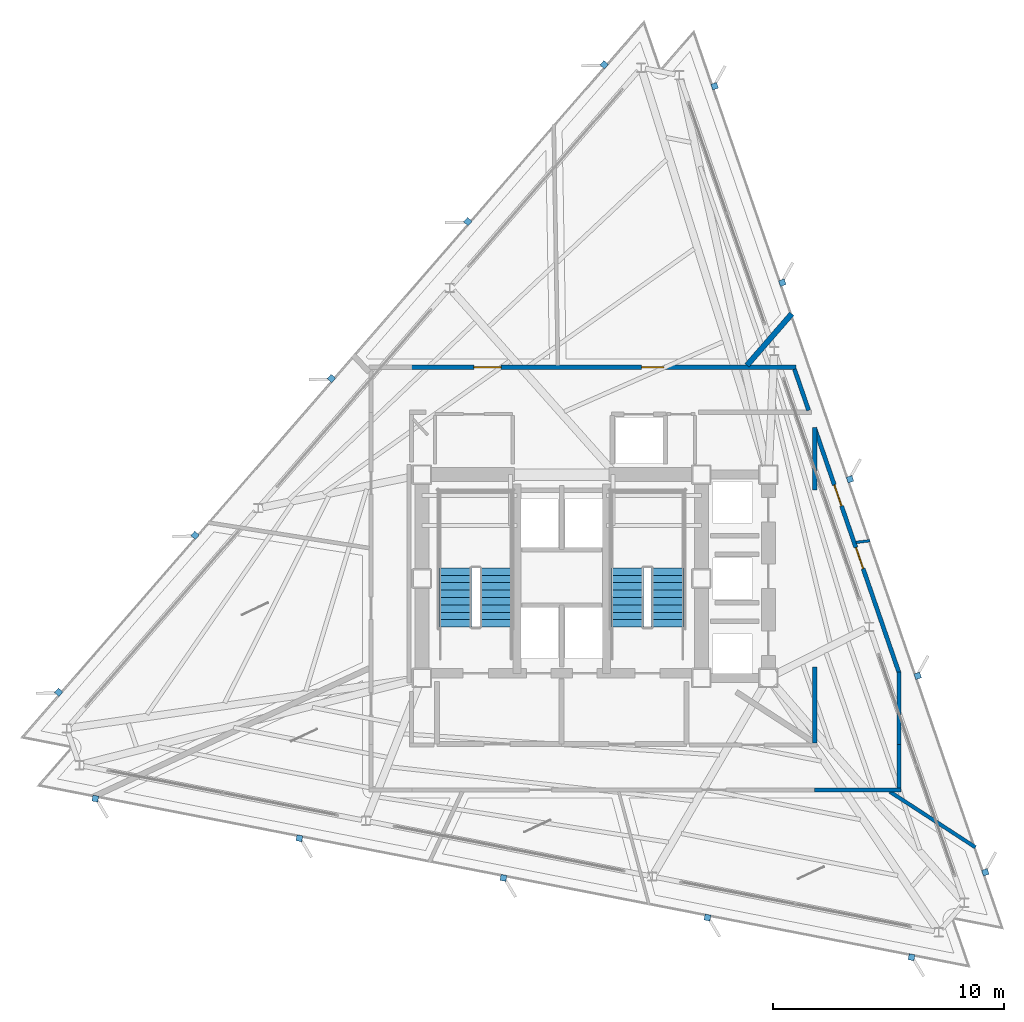
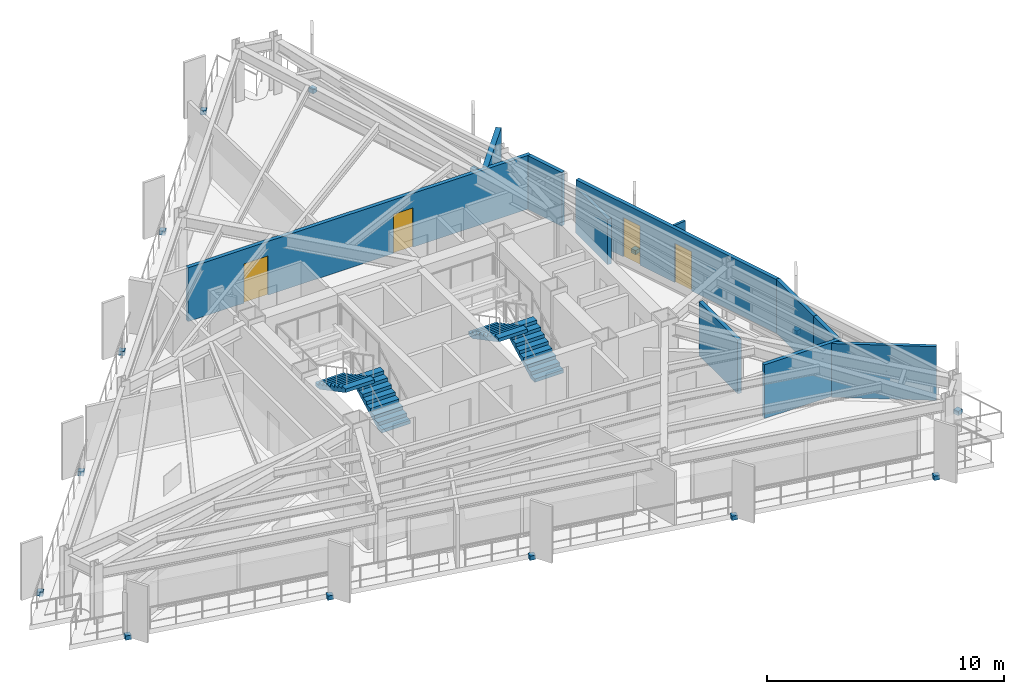
# One storey, part 10 of 13: 15 discrete accessories, 11 walls, 4 doors, 4 stair flights, 4 openings, 2 elements without a shape of their own.
"""IFC4 building model written with IfcOpenShell, lengths in metres."""

from ifc_helpers import new_model, si_unit, direction, frame, frame_2d, origin, origin_2d, place, context, subcontext, project, spatial, polyline, rectangle, outline, extrude, material, layer, layer_set, type_object, element, fill, aggregate, save


model = new_model("IFC4")

# Units and contexts
model_context = context("Model", 3, precision=1e-05, world=origin(), true_north=direction((0.0, 1.0)))
body_context = subcontext(model_context, "Body", "Model", "MODEL_VIEW")
ifc_project = project(units=[si_unit("LENGTHUNIT", "METRE"), si_unit("AREAUNIT", "SQUARE_METRE"), si_unit("VOLUMEUNIT", "CUBIC_METRE"), si_unit("PLANEANGLEUNIT", "RADIAN"), si_unit("MASSUNIT", "GRAM", prefix="KILO")], contexts=[model_context])

# Site, building, storey
site_placement = place(None, origin())
site = spatial("IfcSite", under=ifc_project, at=site_placement, CompositionType="ELEMENT")
building_placement = place(site_placement, origin())
building = spatial("IfcBuilding", under=site, at=building_placement, Name="Rocaltana Carrier Exchange", CompositionType="ELEMENT")
storey_placement = place(building_placement, frame((0.0, 0.0, 156.320068359375)))
storey = spatial("IfcBuildingStorey", under=building, at=storey_placement, Name="L49", CompositionType="ELEMENT", Elevation=156.320068359375)

# Wall
ifc_material_1 = material(Name="Double Acoustic Gypsum Partition", Category="gypsum")
ifc_layer_1 = layer(ifc_material_1, 0.159912109375)
ifc_layer_set_1 = layer_set([ifc_layer_1], Name="Double Acoustic Gypsum Partition")
wall_type_1 = type_object("IfcWallType", Name="Acoustic Studio Partition 160 EI60", PredefinedType="PARTITIONING", material=ifc_layer_set_1)
wall_1_placement = place(storey_placement, frame((14.212890625, -9.22998046875, 0.0), z_axis=(0.0, 0.0, 1.0), x_axis=(0.83867205822, -0.544636740187, 0.0)))
element("IfcWall", 1, at=wall_1_placement, inside=storey, type_object=wall_type_1, Name="L49 Suite Divider Wall D5", PredefinedType="PARTITIONING", context=body_context, shape_type="SweptSolid", body=[
    extrude(rectangle(XDim=4.41796875, YDim=0.159912109375, at=frame_2d((2.208984375, 0.0))), origin(), (0.0, 0.0, 1.0), 2.762939453125),
])

# Wall, openings, doors
ifc_material_2 = material(Name="Gypsum & Steel Stud Partition", Category="steel")
ifc_layer_2 = layer(ifc_material_2, 0.179931640625)
ifc_layer_set_2 = layer_set([ifc_layer_2], Name="Gypsum & Steel Stud Partition")
wall_type_2 = type_object("IfcWallType", Name="Corridor Fire Partition 180 EI60", PredefinedType="PARTITIONING", material=ifc_layer_set_2)
wall_2_placement = place(storey_placement, frame((-6.52001953125, 9.14990234375, 0.0), z_axis=(0.0, 0.0, 1.0), x_axis=(1.0, 0.0, 0.0)))
wall_2 = element("IfcWall", 2, at=wall_2_placement, inside=storey, type_object=wall_type_2, Name="L49 Corridor Partition 6", PredefinedType="PARTITIONING", context=body_context, shape_type="SweptSolid", body=[
    extrude(rectangle(XDim=16.662353515625, YDim=0.179931640625, at=frame_2d((8.3310546875, 0.0))), origin(), (0.0, 0.0, 1.0), 2.762939453125),
])
opening_1_placement = place(wall_2_placement, frame((9.985107421875, 0.0, 0.0)))
opening_1 = element("IfcOpeningElement", 3, at=opening_1_placement, cuts=wall_2, Name="Opening D-RM098", PredefinedType="OPENING", context=body_context, shape_type="SweptSolid", body=[
    extrude(rectangle(XDim=0.9599609375, YDim=2.02001953125, at=frame_2d((0.47998046875, 1.010009765625))), frame((0.0, 0.099853515625, 0.0), z_axis=(0.0, -1.0, 0.0), x_axis=(1.0, 0.0, 0.0)), (0.0, 0.0, 1.0), 0.199951171875),
])
opening_2_placement = place(wall_2_placement, frame((2.719482421875, 0.0, 0.0)))
opening_2 = element("IfcOpeningElement", 4, at=opening_2_placement, cuts=wall_2, Name="Opening D-SU120", PredefinedType="OPENING", context=body_context, shape_type="SweptSolid", body=[
    extrude(rectangle(XDim=1.179931640625, YDim=2.02001953125, at=frame_2d((0.58984375, 1.010009765625))), frame((0.0, 0.099853515625, 0.0), z_axis=(0.0, -1.0, 0.0), x_axis=(1.0, 0.0, 0.0)), (0.0, 0.0, 1.0), 0.199951171875),
])
ifc_material_3 = material(Name="Engineered Hardwood Timber", Category="wood")
door_type_1 = type_object("IfcDoorType", Name="Suite Double Entrance Door 1180x2020", OperationType="NOTDEFINED", PredefinedType="DOOR", material=ifc_material_3)
door_1_placement = place(opening_2_placement, origin())
door_1 = element("IfcDoor", 5, at=door_1_placement, inside=storey, type_object=door_type_1, Name="L49 Carrier Peering Suite Entrance Door", OperationType="SINGLE_SWING_RIGHT", OverallHeight=2.02001953125, OverallWidth=1.179931640625, PredefinedType="DOOR", context=body_context, shape_type="SweptSolid", body=[
    extrude(rectangle(XDim=1.179931640625, YDim=2.02001953125, at=frame_2d((0.58984375, 1.010009765625))), frame((0.0, 0.02490234375, 0.0), z_axis=(0.0, -1.0, 0.0), x_axis=(1.0, 0.0, 0.0)), (0.0, 0.0, 1.0), 0.050048828125),
])
fill(opening_2, door_1)
ifc_material_4 = material(Name="Engineered Hardwood Timber", Category="wood")
door_type_2 = type_object("IfcDoorType", Name="Workspace Single Door 960x2020", OperationType="NOTDEFINED", PredefinedType="DOOR", material=ifc_material_4)
door_2_placement = place(opening_1_placement, origin())
door_2 = element("IfcDoor", 6, at=door_2_placement, inside=storey, type_object=door_type_2, Name="L49 Incident Briefing Room Entrance Door", OperationType="SINGLE_SWING_LEFT", OverallHeight=2.02001953125, OverallWidth=0.9599609375, PredefinedType="DOOR", context=body_context, shape_type="SweptSolid", body=[
    extrude(rectangle(XDim=0.9599609375, YDim=2.02001953125, at=frame_2d((0.47998046875, 1.010009765625))), frame((0.0, 0.02490234375, 0.0), z_axis=(0.0, -1.0, 0.0), x_axis=(1.0, 0.0, 0.0)), (0.0, 0.0, 1.0), 0.050048828125),
])
fill(opening_1, door_2)

# Walls
wall_3_placement = place(storey_placement, frame((10.08154296875, 9.06494140625, 0.0), z_axis=(0.0, 0.0, 1.0), x_axis=(0.325550958337, -0.945524496524, 0.0)))
element("IfcWall", 7, at=wall_3_placement, inside=storey, type_object=wall_type_2, Name="L49 Corridor Partition 7", PredefinedType="PARTITIONING", context=body_context, shape_type="SweptSolid", body=[
    extrude(rectangle(XDim=1.88232421875, YDim=0.179931640625, at=frame_2d((0.941162109375, 0.0))), origin(), (0.0, 0.0, 1.0), 2.762939453125),
])
wall_4_placement = place(storey_placement, frame((10.9599609375, -7.110107421875, 0.0), z_axis=(0.0, 0.0, 1.0), x_axis=(0.0, 1.0, 0.0)))
element("IfcWall", 8, at=wall_4_placement, inside=storey, type_object=wall_type_2, Name="L49 Corridor Partition 15", PredefinedType="PARTITIONING", context=body_context, shape_type="SweptSolid", body=[
    extrude(rectangle(XDim=3.2705078125, YDim=0.179931640625, at=frame_2d((1.63525390625, 0.0))), origin(), (0.0, 0.0, 1.0), 2.762939453125),
])
wall_5_placement = place(storey_placement, frame((10.9599609375, 3.839599609375, 0.0), z_axis=(0.0, 0.0, 1.0), x_axis=(0.0, 1.0, 0.0)))
element("IfcWall", 9, at=wall_5_placement, inside=storey, type_object=wall_type_2, Name="L49 Corridor Partition 16", PredefinedType="PARTITIONING", context=body_context, shape_type="SweptSolid", body=[
    extrude(rectangle(XDim=2.694091796875, YDim=0.179931640625, at=frame_2d((1.34716796875, 0.0))), origin(), (0.0, 0.0, 1.0), 2.329833984375),
])

# Wall, openings, doors
wall_6_placement = place(storey_placement, frame((10.95361328125, 6.53271484375, 0.0), z_axis=(0.0, 0.0, 1.0), x_axis=(0.325553439946, -0.945523642084, 0.0)))
wall_6 = element("IfcWall", 10, at=wall_6_placement, inside=storey, type_object=wall_type_2, Name="L49 Corridor Partition 17", PredefinedType="PARTITIONING", context=body_context, shape_type="SweptSolid", body=[
    extrude(rectangle(XDim=11.220458984375, YDim=0.179931640625, at=frame_2d((5.6103515625, 0.0))), origin(), (0.0, 0.0, 1.0), 2.762939453125),
])
opening_3_placement = place(wall_6_placement, frame((5.4931640625, 0.0, 0.0)))
opening_3 = element("IfcOpeningElement", 11, at=opening_3_placement, cuts=wall_6, Name="Opening D-RM098", PredefinedType="OPENING", context=body_context, shape_type="SweptSolid", body=[
    extrude(rectangle(XDim=0.9599609375, YDim=2.02001953125, at=frame_2d((0.47998046875, 1.010009765625))), frame((0.0, 0.099853515625, 0.0), z_axis=(0.0, -1.0, 0.0), x_axis=(1.0, 0.0, 0.0)), (0.0, 0.0, 1.0), 0.199951171875),
])
opening_4_placement = place(wall_6_placement, frame((2.62060546875, 0.0, 0.0)))
opening_4 = element("IfcOpeningElement", 12, at=opening_4_placement, cuts=wall_6, Name="Opening D-RM098", PredefinedType="OPENING", context=body_context, shape_type="SweptSolid", body=[
    extrude(rectangle(XDim=0.9599609375, YDim=2.02001953125, at=frame_2d((0.47998046875, 1.010009765625))), frame((0.0, 0.099853515625, 0.0), z_axis=(0.0, -1.0, 0.0), x_axis=(1.0, 0.0, 0.0)), (0.0, 0.0, 1.0), 0.199951171875),
])
door_3_placement = place(opening_3_placement, origin())
door_3 = element("IfcDoor", 13, at=door_3_placement, inside=storey, type_object=door_type_2, Name="L49 Peering Conference Room Entrance Door", OperationType="SINGLE_SWING_LEFT", OverallHeight=2.02001953125, OverallWidth=0.9599609375, PredefinedType="DOOR", context=body_context, shape_type="SweptSolid", body=[
    extrude(rectangle(XDim=0.9599609375, YDim=2.02001953125, at=frame_2d((0.47998046875, 1.010009765625))), frame((0.0, 0.02490234375, 0.0), z_axis=(0.0, -1.0, 0.0), x_axis=(1.0, 0.0, 0.0)), (0.0, 0.0, 1.0), 0.050048828125),
])
fill(opening_3, door_3)
door_4_placement = place(opening_4_placement, origin())
door_4 = element("IfcDoor", 14, at=door_4_placement, inside=storey, type_object=door_type_2, Name="L49 Quiet Focus Lounge Entrance Door", OperationType="SINGLE_SWING_RIGHT", OverallHeight=2.02001953125, OverallWidth=0.9599609375, PredefinedType="DOOR", context=body_context, shape_type="SweptSolid", body=[
    extrude(rectangle(XDim=0.9599609375, YDim=2.02001953125, at=frame_2d((0.47998046875, 1.010009765625))), frame((0.0, 0.02490234375, 0.0), z_axis=(0.0, -1.0, 0.0), x_axis=(1.0, 0.0, 0.0)), (0.0, 0.0, 1.0), 0.050048828125),
])
fill(opening_4, door_4)

# Walls
wall_7_placement = place(storey_placement, frame((14.60009765625, -4.03759765625, 0.0), z_axis=(0.0, 0.0, 1.0), x_axis=(0.0, -1.0, 0.0)))
element("IfcWall", 15, at=wall_7_placement, inside=storey, type_object=wall_type_2, Name="L49 Corridor Partition 18", PredefinedType="PARTITIONING", context=body_context, shape_type="SweptSolid", body=[
    extrude(rectangle(XDim=3.182373046875, YDim=0.179931640625, at=frame_2d((1.59130859375, 0.0))), origin(), (0.0, 0.0, 1.0), 2.762939453125),
])
wall_8_placement = place(storey_placement, frame((14.60009765625, -7.179931640625, 0.0), z_axis=(0.0, 0.0, 1.0), x_axis=(0.0, -1.0, 0.0)))
element("IfcWall", 16, at=wall_8_placement, inside=storey, type_object=wall_type_2, Name="L49 Corridor Partition 19", PredefinedType="PARTITIONING", context=body_context, shape_type="SweptSolid", body=[
    extrude(rectangle(XDim=1.880126953125, YDim=0.179931640625, at=frame_2d((0.93994140625, 0.0))), origin(), (0.0, 0.0, 1.0), 2.762939453125),
])
wall_9_placement = place(storey_placement, frame((14.68994140625, -9.14990234375, 0.0), z_axis=(0.0, 0.0, 1.0), x_axis=(-1.0, 0.0, 0.0)))
element("IfcWall", 17, at=wall_9_placement, inside=storey, type_object=wall_type_2, Name="L49 Corridor Partition 20", PredefinedType="PARTITIONING", context=body_context, shape_type="SweptSolid", body=[
    extrude(rectangle(XDim=3.75, YDim=0.179931640625, at=frame_2d((1.875, 0.0))), origin(), (0.0, 0.0, 1.0), 2.762939453125),
])
ifc_material_5 = material(Name="Aluminium 6063-T6 & Acoustic Glass", Category="aluminium")
ifc_layer_3 = layer(ifc_material_5, 0.114990234375)
ifc_layer_set_3 = layer_set([ifc_layer_3], Name="Aluminium 6063-T6 & Acoustic Glass")
wall_type_3 = type_object("IfcWallType", Name="Demountable Glazed Lab Partition 115", PredefinedType="MOVABLE", material=ifc_layer_set_3)
wall_10_placement = place(storey_placement, frame((12.74853515625, 1.565185546875, 0.0), z_axis=(0.0, 0.0, 1.0), x_axis=(0.992500437265, 0.122241081588, 0.0)))
element("IfcWall", 18, at=wall_10_placement, inside=storey, type_object=wall_type_3, Name="L49 Suite Divider Wall D6", PredefinedType="MOVABLE", context=body_context, shape_type="SweptSolid", body=[
    extrude(rectangle(XDim=0.603271484375, YDim=0.114990234375, at=frame_2d((0.3017578125, 0.0))), origin(), (0.0, 0.0, 1.0), 2.762939453125),
])
ifc_material_6 = material(Name="Acoustic Calcium Silicate Partition", Category="gypsum")
ifc_layer_4 = layer(ifc_material_6, 0.239990234375)
ifc_layer_set_4 = layer_set([ifc_layer_4], Name="Acoustic Calcium Silicate Partition")
wall_type_4 = type_object("IfcWallType", Name="Heavy Lab Partition 240 EI90", PredefinedType="PARTITIONING", material=ifc_layer_set_4)
wall_11_placement = place(storey_placement, frame((8.0234375, 9.22998046875, 0.0), z_axis=(0.0, 0.0, 1.0), x_axis=(0.656082692906, 0.754689008844, 0.0)))
element("IfcWall", 19, at=wall_11_placement, inside=storey, type_object=wall_type_4, Name="L49 Suite Divider Wall D7", PredefinedType="PARTITIONING", context=body_context, shape_type="SweptSolid", body=[
    extrude(rectangle(XDim=2.958740234375, YDim=0.239990234375, at=frame_2d((1.4794921875, 0.0))), origin(), (0.0, 0.0, 1.0), 2.762939453125),
])

# Stair, stair flights
ifc_material_7 = material(Name="Precast concrete C45/55", Category="concrete")
stair_type = type_object("IfcStairType", Name="Standard Dog-Leg Stair 160", PredefinedType="HALF_TURN_STAIR", material=ifc_material_7)
stair_1_placement = place(storey_placement, origin())
stair_1 = element("IfcStair", 20, at=stair_1_placement, inside=storey, type_object=stair_type, Name="L49 Core West Exit Stair ST-1", PredefinedType="HALF_TURN_STAIR")
ifc_material_8 = material(Name="Precast concrete C45/55", Category="concrete")
stair_flight_type = type_object("IfcStairFlightType", Name="Precast Stair Flight 160", PredefinedType="STRAIGHT", material=ifc_material_8)
stair_flight_1_placement = place(storey_placement, frame((-2.840087890625, -2.10009765625, 0.0), z_axis=(0.0, 0.0, 1.0), x_axis=(0.0, 1.0, 0.0)))
stair_flight_1 = element("IfcStairFlight", 21, at=stair_flight_1_placement, type_object=stair_flight_type, Name="ST-1 flight 1", NumberOfRisers=9, NumberOfTreads=8, PredefinedType="STRAIGHT", RiserHeight=0.168888889, TreadLength=0.32, context=body_context, shape_type="SweptSolid", body=[
    extrude(outline(polyline([(0.0, 0.0), (0.0, 0.1689453125), (0.320068359375, 0.1689453125), (0.320068359375, 0.337890625), (0.639892578125, 0.337890625), (0.639892578125, 0.506591796875), (0.9599609375, 0.506591796875), (0.9599609375, 0.675537109375), (1.280029296875, 0.675537109375), (1.280029296875, 0.844482421875), (1.60009765625, 0.844482421875), (1.60009765625, 1.013427734375), (1.919921875, 1.013427734375), (1.919921875, 1.18212890625), (2.239990234375, 1.18212890625), (2.239990234375, 1.35107421875), (2.56005859375, 1.35107421875), (2.56005859375, 1.52001953125), (2.56005859375, 1.17041015625), (0.342529296875, 0.0), (0.0, 0.0)])), frame((0.0, 0.699951171875, 0.0), z_axis=(0.0, -1.0, 0.0), x_axis=(1.0, 0.0, 0.0)), (0.0, 0.0, 1.0), 1.39990234375),
])
stair_flight_2_placement = place(storey_placement, frame((-4.60009765625, 0.4599609375, 1.52001953125), z_axis=(0.0, 0.0, 1.0), x_axis=(0.0, -1.0, 0.0)))
stair_flight_2 = element("IfcStairFlight", 22, at=stair_flight_2_placement, type_object=stair_flight_type, Name="ST-1 flight 2", NumberOfRisers=9, NumberOfTreads=8, PredefinedType="STRAIGHT", RiserHeight=0.168888889, TreadLength=0.32, context=body_context, shape_type="SweptSolid", body=[
    extrude(outline(polyline([(0.0, 0.0), (0.0, 0.1689453125), (0.320068359375, 0.1689453125), (0.320068359375, 0.337890625), (0.639892578125, 0.337890625), (0.639892578125, 0.506591796875), (0.9599609375, 0.506591796875), (0.9599609375, 0.675537109375), (1.280029296875, 0.675537109375), (1.280029296875, 0.844482421875), (1.60009765625, 0.844482421875), (1.60009765625, 1.013427734375), (1.919921875, 1.013427734375), (1.919921875, 1.18212890625), (2.239990234375, 1.18212890625), (2.239990234375, 1.35107421875), (2.56005859375, 1.35107421875), (2.56005859375, 1.52001953125), (2.56005859375, 1.17041015625), (0.342529296875, 0.0), (0.0, 0.0)])), frame((0.0, 0.699951171875, 0.0), z_axis=(0.0, -1.0, 0.0), x_axis=(1.0, 0.0, 0.0)), (0.0, 0.0, 1.0), 1.39990234375),
])
aggregate(stair_1, [stair_flight_1, stair_flight_2])

stair_2_placement = place(storey_placement, origin())
stair_2 = element("IfcStair", 23, at=stair_2_placement, inside=storey, type_object=stair_type, Name="L49 Core East Exit Stair ST-2", PredefinedType="HALF_TURN_STAIR")
stair_flight_3_placement = place(storey_placement, frame((4.60009765625, -2.10009765625, 0.0), z_axis=(0.0, 0.0, 1.0), x_axis=(0.0, 1.0, 0.0)))
stair_flight_3 = element("IfcStairFlight", 24, at=stair_flight_3_placement, type_object=stair_flight_type, Name="ST-2 flight 1", NumberOfRisers=9, NumberOfTreads=8, PredefinedType="STRAIGHT", RiserHeight=0.168888889, TreadLength=0.32, context=body_context, shape_type="SweptSolid", body=[
    extrude(outline(polyline([(0.0, 0.0), (0.0, 0.1689453125), (0.320068359375, 0.1689453125), (0.320068359375, 0.337890625), (0.639892578125, 0.337890625), (0.639892578125, 0.506591796875), (0.9599609375, 0.506591796875), (0.9599609375, 0.675537109375), (1.280029296875, 0.675537109375), (1.280029296875, 0.844482421875), (1.60009765625, 0.844482421875), (1.60009765625, 1.013427734375), (1.919921875, 1.013427734375), (1.919921875, 1.18212890625), (2.239990234375, 1.18212890625), (2.239990234375, 1.35107421875), (2.56005859375, 1.35107421875), (2.56005859375, 1.52001953125), (2.56005859375, 1.17041015625), (0.342529296875, 0.0), (0.0, 0.0)])), frame((0.0, 0.699951171875, 0.0), z_axis=(0.0, -1.0, 0.0), x_axis=(1.0, 0.0, 0.0)), (0.0, 0.0, 1.0), 1.39990234375),
])
stair_flight_4_placement = place(storey_placement, frame((2.840087890625, 0.4599609375, 1.52001953125), z_axis=(0.0, 0.0, 1.0), x_axis=(0.0, -1.0, 0.0)))
stair_flight_4 = element("IfcStairFlight", 25, at=stair_flight_4_placement, type_object=stair_flight_type, Name="ST-2 flight 2", NumberOfRisers=9, NumberOfTreads=8, PredefinedType="STRAIGHT", RiserHeight=0.168888889, TreadLength=0.32, context=body_context, shape_type="SweptSolid", body=[
    extrude(outline(polyline([(0.0, 0.0), (0.0, 0.1689453125), (0.320068359375, 0.1689453125), (0.320068359375, 0.337890625), (0.639892578125, 0.337890625), (0.639892578125, 0.506591796875), (0.9599609375, 0.506591796875), (0.9599609375, 0.675537109375), (1.280029296875, 0.675537109375), (1.280029296875, 0.844482421875), (1.60009765625, 0.844482421875), (1.60009765625, 1.013427734375), (1.919921875, 1.013427734375), (1.919921875, 1.18212890625), (2.239990234375, 1.18212890625), (2.239990234375, 1.35107421875), (2.56005859375, 1.35107421875), (2.56005859375, 1.52001953125), (2.56005859375, 1.17041015625), (0.342529296875, 0.0), (0.0, 0.0)])), frame((0.0, 0.699951171875, 0.0), z_axis=(0.0, -1.0, 0.0), x_axis=(1.0, 0.0, 0.0)), (0.0, 0.0, 1.0), 1.39990234375),
])
aggregate(stair_2, [stair_flight_3, stair_flight_4])

# Discrete accessories
ifc_material_9 = material(Name="Brushed Architectural Stainless Metal", Category="steel")
ifc_layer_5 = layer(ifc_material_9, 0.219970703125)
ifc_layer_set_5 = layer_set([ifc_layer_5], Name="Brushed Architectural Stainless Metal")
discrete_accessory_type = type_object("IfcDiscreteAccessoryType", Name="Stainless Fin Slab-Edge Bracket 260x260x220", PredefinedType="BRACKET", material=ifc_layer_set_5)
for number, where, z_axis, x_axis, name in (
    (26, (18.344482421875, -12.720703125, -0.2099609375), (0.0, 0.0, 1.0), (-0.325568154457, 0.945518575599, 0.0), "L49 Sandstone Fin Edge Bracket F1-01"),
    (27, (15.414306640625, -4.2109375, -0.2099609375), (0.0, 0.0, 1.0), (-0.325568154457, 0.945518575599, 0.0), "L49 Sandstone Fin Edge Bracket F1-02"),
    (28, (12.484130859375, 4.298583984375, -0.2099609375), (0.0, 0.0, 1.0), (-0.325568154457, 0.945518575599, 0.0), "L49 Sandstone Fin Edge Bracket F1-03"),
    (29, (9.55419921875, 12.808349609375, -0.2099609375), (0.0, 0.0, 1.0), (-0.325568154457, 0.945518575599, 0.0), "L49 Sandstone Fin Edge Bracket F1-04"),
    (30, (6.6240234375, 21.318115234375, -0.2099609375), (0.0, 0.0, 1.0), (-0.325568154457, 0.945518575599, 0.0), "L49 Sandstone Fin Edge Bracket F1-05"),
    (31, (1.84423828125, 22.2470703125, -0.2099609375), (0.0, 0.0, 1.0), (-0.656059028991, -0.754709580223, 0.0), "L49 Sandstone Fin Edge Bracket F2-01"),
    (32, (-4.060302734375, 15.45458984375, -0.2099609375), (0.0, 0.0, 1.0), (-0.656059028991, -0.754709580223, 0.0), "L49 Sandstone Fin Edge Bracket F2-02"),
    (33, (-9.96484375, 8.662353515625, -0.2099609375), (0.0, 0.0, 1.0), (-0.656059028991, -0.754709580223, 0.0), "L49 Sandstone Fin Edge Bracket F2-03"),
    (34, (-15.869384765625, 1.869873046875, -0.2099609375), (0.0, 0.0, 1.0), (-0.656059028991, -0.754709580223, 0.0), "L49 Sandstone Fin Edge Bracket F2-04"),
    (35, (-21.77392578125, -4.92236328125, -0.2099609375), (0.0, 0.0, 1.0), (-0.656059028991, -0.754709580223, 0.0), "L49 Sandstone Fin Edge Bracket F2-05"),
    (36, (-20.188720703125, -9.5263671875, -0.2099609375), (0.0, 0.0, 1.0), (0.981627183448, -0.190808995377, 0.0), "L49 Sandstone Fin Edge Bracket F3-01"),
    (37, (-11.35400390625, -11.24365234375, -0.2099609375), (0.0, 0.0, 1.0), (0.981627183448, -0.190808995377, 0.0), "L49 Sandstone Fin Edge Bracket F3-02"),
    (38, (-2.519287109375, -12.9609375, -0.2099609375), (0.0, 0.0, 1.0), (0.981627183448, -0.190808995377, 0.0), "L49 Sandstone Fin Edge Bracket F3-03"),
    (39, (6.315185546875, -14.67822265625, -0.2099609375), (0.0, 0.0, 1.0), (0.981627183448, -0.190808995377, 0.0), "L49 Sandstone Fin Edge Bracket F3-04"),
    (40, (15.14990234375, -16.3955078125, -0.2099609375), (0.0, 0.0, 1.0), (0.981627183448, -0.190808995377, 0.0), "L49 Sandstone Fin Edge Bracket F3-05"),
):
    element("IfcDiscreteAccessory", number, at=place(storey_placement, frame(where, z_axis=z_axis, x_axis=x_axis)), inside=storey, type_object=discrete_accessory_type, Name=name, PredefinedType="BRACKET", context=body_context, shape_type="SweptSolid", body=[
        extrude(rectangle(XDim=0.260009765625, YDim=0.260009765625, at=origin_2d()), origin(), (0.0, 0.0, 1.0), 0.219970703125),
    ])

save(model, "model.ifc")
